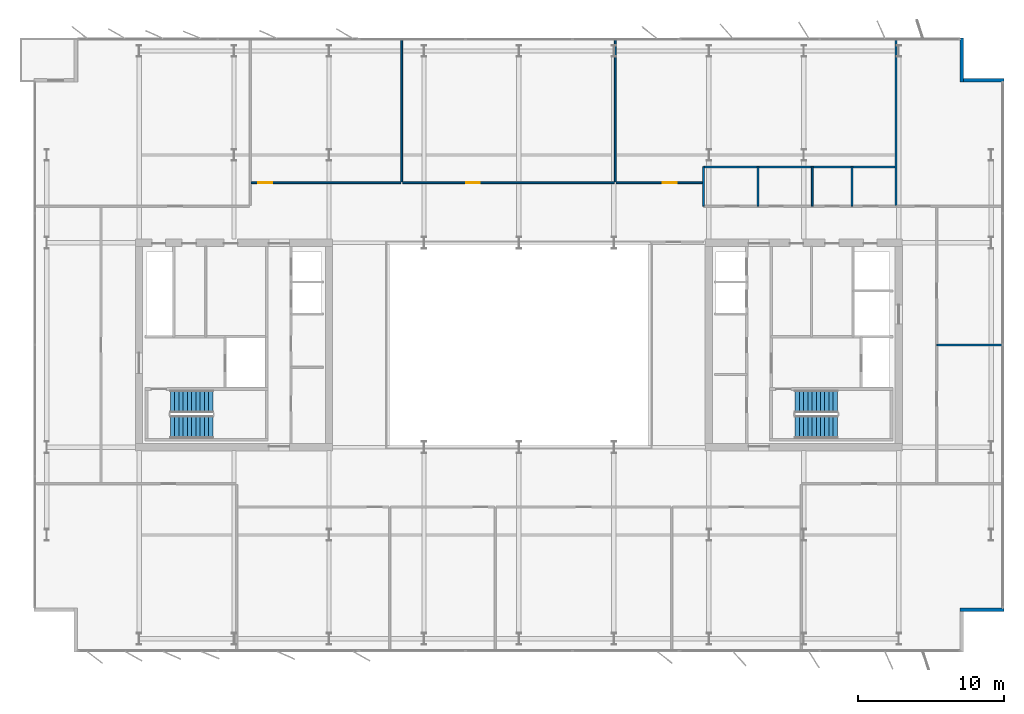
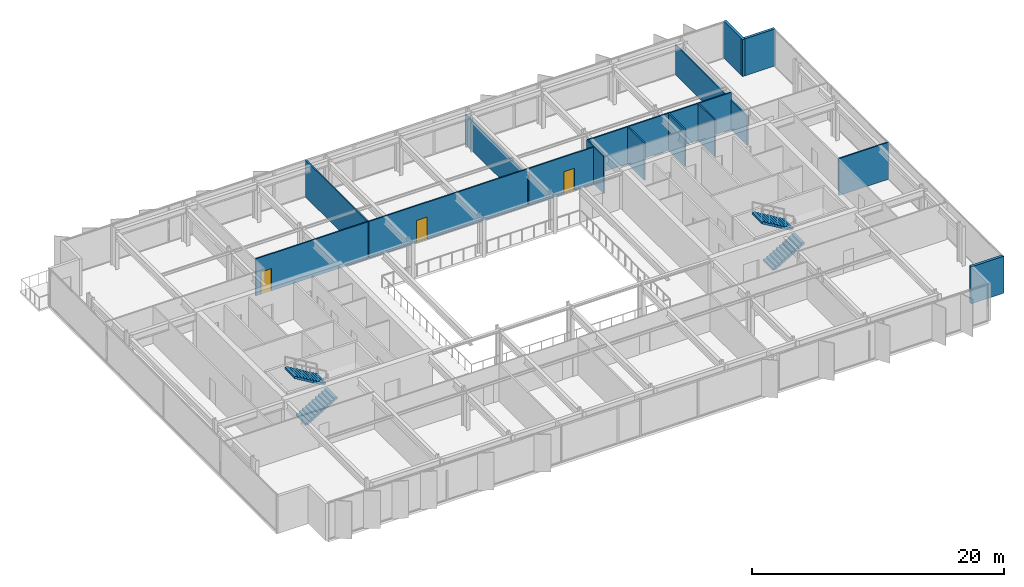
# One storey, part 19 of 23: 15 walls, 4 stair flights, 3 doors, 3 openings, 2 elements without a shape of their own.
"""IFC4 building model written with IfcOpenShell, lengths in metres."""

from ifc_helpers import new_model, si_unit, direction, frame, frame_2d, origin, place, context, subcontext, project, spatial, polyline, rectangle, outline, extrude, material, layer, layer_set, type_object, element, fill, aggregate, save


model = new_model("IFC4")

# Units and contexts
model_context = context("Model", 3, precision=1e-05, world=origin(), true_north=direction((0.0, 1.0)))
body_context = subcontext(model_context, "Body", "Model", "MODEL_VIEW")
ifc_project = project(units=[si_unit("LENGTHUNIT", "METRE"), si_unit("AREAUNIT", "SQUARE_METRE"), si_unit("VOLUMEUNIT", "CUBIC_METRE"), si_unit("PLANEANGLEUNIT", "RADIAN"), si_unit("MASSUNIT", "GRAM", prefix="KILO")], contexts=[model_context])

# Site, building, storey
site_placement = place(None, origin())
site = spatial("IfcSite", under=ifc_project, at=site_placement, CompositionType="ELEMENT")
building_placement = place(site_placement, origin())
building = spatial("IfcBuilding", under=site, at=building_placement, Name="Putna Gate Headquarters", CompositionType="ELEMENT")
storey_placement = place(building_placement, frame((0.0, 0.0, 210.0)))
storey = spatial("IfcBuildingStorey", under=building, at=storey_placement, Name="L52", CompositionType="ELEMENT", Elevation=210.0)

# Walls
ifc_material_1 = material(Name="Precast concrete C40/50", Category="concrete")
ifc_layer_1 = layer(ifc_material_1, 0.239990234375)
ifc_layer_set_1 = layer_set([ifc_layer_1], Name="Precast concrete C40/50")
wall_type_1 = type_object("IfcWallType", Name="WALL-EXT-TERR-240", PredefinedType="STANDARD", material=ifc_layer_set_1)
for number, where, z_axis, x_axis, name in (
    (1, (69.320068359375, 47.0, 0.0), (0.0, 0.0, 1.0), (0.0, -1.0, 0.0), "L52 Corner Notch Return Wall NE-V"),
    (2, (69.199951171875, 44.1201171875, 0.0), (0.0, 0.0, 1.0), (1.0, 0.0, 0.0), "L52 Corner Notch Return Wall NE-H"),
    (3, (72.199951171875, 7.8798828125, 0.0), (0.0, 0.0, 1.0), (-1.0, 0.0, 0.0), "L52 Corner Notch Return Wall SE-H"),
):
    element("IfcWall", number, at=place(storey_placement, frame(where, z_axis=z_axis, x_axis=x_axis)), inside=storey, type_object=wall_type_1, Name=name, PredefinedType="STANDARD", context=body_context, shape_type="SweptSolid", body=[
        extrude(rectangle(XDim=3.0, YDim=0.239990234375, at=frame_2d((1.5, 0.0))), origin(), (0.0, 0.0, 1.0), 3.580078125),
    ])
ifc_material_2 = material(Name="Acoustic gypsum board on metal stud")
ifc_layer_2 = layer(ifc_material_2, 0.1201171875)
ifc_layer_set_2 = layer_set([ifc_layer_2], Name="Acoustic gypsum board on metal stud")
wall_type_2 = type_object("IfcWallType", Name="WALL-PART-120", PredefinedType="PARTITIONING", material=ifc_layer_set_2)
wall_1_placement = place(storey_placement, frame((30.97119140625, 37.159912109375, 0.0), z_axis=(0.0, 0.0, 1.0), x_axis=(0.0, 1.0, 0.0)))
element("IfcWall", 4, at=wall_1_placement, inside=storey, type_object=wall_type_2, Name="L52 Interior Wall PART-L52-NB-DIV-02", PredefinedType="PARTITIONING", context=body_context, shape_type="SweptSolid", body=[
    extrude(rectangle(XDim=9.820068359375, YDim=0.1201171875, at=frame_2d((4.91015625, 0.0))), origin(), (0.0, 0.0, 1.0), 3.580078125),
])
wall_2_placement = place(storey_placement, frame((45.60009765625, 37.159912109375, 0.0), z_axis=(0.0, 0.0, 1.0), x_axis=(0.0, 1.0, 0.0)))
element("IfcWall", 5, at=wall_2_placement, inside=storey, type_object=wall_type_2, Name="L52 Interior Wall PART-L52-NB-DIV-03", PredefinedType="PARTITIONING", context=body_context, shape_type="SweptSolid", body=[
    extrude(rectangle(XDim=9.820068359375, YDim=0.1201171875, at=frame_2d((4.91015625, 0.0))), origin(), (0.0, 0.0, 1.0), 2.8798828125),
])
wall_3_placement = place(storey_placement, frame((64.800048828125, 35.56005859375, 0.0), z_axis=(0.0, 0.0, 1.0), x_axis=(0.0, 1.0, 0.0)))
element("IfcWall", 6, at=wall_3_placement, inside=storey, type_object=wall_type_2, Name="L52 Interior Wall PART-L52-NB-DIV-04", PredefinedType="PARTITIONING", context=body_context, shape_type="SweptSolid", body=[
    extrude(rectangle(XDim=11.419921875, YDim=0.1201171875, at=frame_2d((5.7099609375, 0.0))), origin(), (0.0, 0.0, 1.0), 2.8798828125),
])
wall_4_placement = place(storey_placement, frame((67.60009765625, 26.0, 0.0), z_axis=(0.0, 0.0, 1.0), x_axis=(1.0, 0.0, 0.0)))
element("IfcWall", 7, at=wall_4_placement, inside=storey, type_object=wall_type_2, Name="L52 Interior Wall PART-L52-EW-DIV-1", PredefinedType="PARTITIONING", context=body_context, shape_type="SweptSolid", body=[
    extrude(rectangle(XDim=4.579833984375, YDim=0.1201171875, at=frame_2d((2.2900390625, 0.0))), origin(), (0.0, 0.0, 1.0), 3.580078125),
])
ifc_material_3 = material(Name="Fire-rated gypsum board on metal stud")
ifc_layer_3 = layer(ifc_material_3, 0.1201171875)
ifc_layer_set_3 = layer_set([ifc_layer_3], Name="Fire-rated gypsum board on metal stud")
wall_type_3 = type_object("IfcWallType", Name="WALL-PART-120-RATED", PredefinedType="PARTITIONING", material=ifc_layer_set_3)
wall_5_placement = place(storey_placement, frame((51.639892578125, 38.179931640625, 0.0), z_axis=(0.0, 0.0, 1.0), x_axis=(1.0, 0.0, 0.0)))
element("IfcWall", 8, at=wall_5_placement, inside=storey, type_object=wall_type_3, Name="L52 Interior Wall PART-L52-SAN-BACK", PredefinedType="PARTITIONING", context=body_context, shape_type="SweptSolid", body=[
    extrude(rectangle(XDim=13.16015625, YDim=0.1201171875, at=frame_2d((6.580078125, 0.0))), origin(), (0.0, 0.0, 1.0), 3.580078125),
])
for number, where, z_axis, x_axis, name in (
    (9, (51.639892578125, 35.5, 0.0), (0.0, 0.0, 1.0), (0.0, 1.0, 0.0), "L52 Interior Wall PART-L52-SAN-DIV-1"),
    (10, (55.360107421875, 35.5, 0.0), (0.0, 0.0, 1.0), (0.0, 1.0, 0.0), "L52 Interior Wall PART-L52-SAN-DIV-2"),
    (11, (59.080078125, 35.5, 0.0), (0.0, 0.0, 1.0), (0.0, 1.0, 0.0), "L52 Interior Wall PART-L52-SAN-DIV-3"),
    (12, (61.800048828125, 35.5, 0.0), (0.0, 0.0, 1.0), (0.0, 1.0, 0.0), "L52 Interior Wall PART-L52-SAN-DIV-4"),
):
    element("IfcWall", number, at=place(storey_placement, frame(where, z_axis=z_axis, x_axis=x_axis)), inside=storey, type_object=wall_type_3, Name=name, PredefinedType="PARTITIONING", context=body_context, shape_type="SweptSolid", body=[
        extrude(rectangle(XDim=2.679931640625, YDim=0.1201171875, at=frame_2d((1.33984375, 0.0))), origin(), (0.0, 0.0, 1.0), 3.580078125),
    ])

# Wall, opening, door
wall_6_placement = place(storey_placement, frame((20.6689453125, 37.10009765625, 0.0), z_axis=(0.0, 0.0, 1.0), x_axis=(1.0, 0.0, 0.0)))
wall_6 = element("IfcWall", 13, at=wall_6_placement, inside=storey, type_object=wall_type_3, Name="L52 Interior Wall PART-L52-NB-CW-02", PredefinedType="PARTITIONING", context=body_context, shape_type="SweptSolid", body=[
    extrude(rectangle(XDim=10.2421875, YDim=0.1201171875, at=frame_2d((5.12109375, 0.0))), origin(), (0.0, 0.0, 1.0), 3.580078125),
])
opening_1_placement = place(wall_6_placement, frame((0.47998046875, 0.0, 0.0)))
opening_1 = element("IfcOpeningElement", 14, at=opening_1_placement, cuts=wall_6, Name="Opening FD-95", PredefinedType="OPENING", context=body_context, shape_type="SweptSolid", body=[
    extrude(rectangle(XDim=0.949951171875, YDim=2.14990234375, at=frame_2d((0.47509765625, 1.074951171875))), frame((0.0, 0.070068359375, 0.0), z_axis=(0.0, -1.0, 0.0), x_axis=(1.0, 0.0, 0.0)), (0.0, 0.0, 1.0), 0.14013671875),
])
ifc_material_4 = material(Name="Acoustic timber fire door", Category="wood")
door_type = type_object("IfcDoorType", Name="DOOR-FIRE-950", OperationType="NOTDEFINED", PredefinedType="DOOR", material=ifc_material_4)
door_1_placement = place(opening_1_placement, origin())
door_1 = element("IfcDoor", 15, at=door_1_placement, inside=storey, type_object=door_type, Name="L52 Quiet Wellness Focus Studio 2 Door", OperationType="SINGLE_SWING_LEFT", OverallHeight=2.14990234375, OverallWidth=0.949951171875, PredefinedType="DOOR", context=body_context, shape_type="SweptSolid", body=[
    extrude(rectangle(XDim=0.949951171875, YDim=2.14990234375, at=frame_2d((0.47509765625, 1.074951171875))), frame((0.0, 0.02490234375, 0.0), z_axis=(0.0, -1.0, 0.0), x_axis=(1.0, 0.0, 0.0)), (0.0, 0.0, 1.0), 0.050048828125),
])
fill(opening_1, door_1)

wall_7_placement = place(storey_placement, frame((31.031005859375, 37.10009765625, 0.0), z_axis=(0.0, 0.0, 1.0), x_axis=(1.0, 0.0, 0.0)))
wall_7 = element("IfcWall", 16, at=wall_7_placement, inside=storey, type_object=wall_type_3, Name="L52 Interior Wall PART-L52-NB-CW-03", PredefinedType="PARTITIONING", context=body_context, shape_type="SweptSolid", body=[
    extrude(rectangle(XDim=14.509033203125, YDim=0.1201171875, at=frame_2d((7.25439453125, 0.0))), origin(), (0.0, 0.0, 1.0), 3.580078125),
])
opening_2_placement = place(wall_7_placement, frame((4.352783203125, 0.0, 0.0)))
opening_2 = element("IfcOpeningElement", 17, at=opening_2_placement, cuts=wall_7, Name="Opening FD-95", PredefinedType="OPENING", context=body_context, shape_type="SweptSolid", body=[
    extrude(rectangle(XDim=0.949951171875, YDim=2.14990234375, at=frame_2d((0.47509765625, 1.074951171875))), frame((0.0, 0.070068359375, 0.0), z_axis=(0.0, -1.0, 0.0), x_axis=(1.0, 0.0, 0.0)), (0.0, 0.0, 1.0), 0.14013671875),
])
door_2_placement = place(opening_2_placement, origin())
door_2 = element("IfcDoor", 18, at=door_2_placement, inside=storey, type_object=door_type, Name="L52 Cellular Office 1 Door", OperationType="SINGLE_SWING_RIGHT", OverallHeight=2.14990234375, OverallWidth=0.949951171875, PredefinedType="DOOR", context=body_context, shape_type="SweptSolid", body=[
    extrude(rectangle(XDim=0.949951171875, YDim=2.14990234375, at=frame_2d((0.47509765625, 1.074951171875))), frame((0.0, 0.02490234375, 0.0), z_axis=(0.0, -1.0, 0.0), x_axis=(1.0, 0.0, 0.0)), (0.0, 0.0, 1.0), 0.050048828125),
])
fill(opening_2, door_2)

wall_8_placement = place(storey_placement, frame((45.659912109375, 37.10009765625, 0.0), z_axis=(0.0, 0.0, 1.0), x_axis=(1.0, 0.0, 0.0)))
wall_8 = element("IfcWall", 19, at=wall_8_placement, inside=storey, type_object=wall_type_3, Name="L52 Interior Wall PART-L52-NB-CW-04", PredefinedType="PARTITIONING", context=body_context, shape_type="SweptSolid", body=[
    extrude(rectangle(XDim=5.920166015625, YDim=0.1201171875, at=frame_2d((2.9599609375, 0.0))), origin(), (0.0, 0.0, 1.0), 3.580078125),
])
opening_3_placement = place(wall_8_placement, frame((3.194091796875, 0.0, 0.0)))
opening_3 = element("IfcOpeningElement", 20, at=opening_3_placement, cuts=wall_8, Name="Opening FD-95", PredefinedType="OPENING", context=body_context, shape_type="SweptSolid", body=[
    extrude(rectangle(XDim=0.949951171875, YDim=2.14990234375, at=frame_2d((0.47509765625, 1.074951171875))), frame((0.0, 0.070068359375, 0.0), z_axis=(0.0, -1.0, 0.0), x_axis=(1.0, 0.0, 0.0)), (0.0, 0.0, 1.0), 0.14013671875),
])
door_3_placement = place(opening_3_placement, origin())
door_3 = element("IfcDoor", 21, at=door_3_placement, inside=storey, type_object=door_type, Name="L52 Primary Open Office Workplace Door", OperationType="SINGLE_SWING_LEFT", OverallHeight=2.14990234375, OverallWidth=0.949951171875, PredefinedType="DOOR", context=body_context, shape_type="SweptSolid", body=[
    extrude(rectangle(XDim=0.949951171875, YDim=2.14990234375, at=frame_2d((0.47509765625, 1.074951171875))), frame((0.0, 0.02490234375, 0.0), z_axis=(0.0, -1.0, 0.0), x_axis=(1.0, 0.0, 0.0)), (0.0, 0.0, 1.0), 0.050048828125),
])
fill(opening_3, door_3)

# Stair, stair flights
ifc_material_5 = material(Name="Concrete C40/50", Category="concrete")
stair_type_1 = type_object("IfcStairType", Name="STAIR-ST1", PredefinedType="HALF_TURN_STAIR", material=ifc_material_5)
stair_1_placement = place(storey_placement, origin())
stair_1 = element("IfcStair", 22, at=stair_1_placement, inside=storey, type_object=stair_type_1, Name="L52 West Core Exit Stair ST1", PredefinedType="HALF_TURN_STAIR")
stair_flight_type_1 = type_object("IfcStairFlightType", Name="FLIGHT-ST1", PredefinedType="STRAIGHT", material=ifc_material_5)
stair_flight_1_placement = place(storey_placement, frame((15.14990234375, 20.375, 0.0), z_axis=(0.0, 0.0, 1.0), x_axis=(1.0, 0.0, 0.0)))
stair_flight_1 = element("IfcStairFlight", 23, at=stair_flight_1_placement, type_object=stair_flight_type_1, Name="ST1 flight 1", NumberOfRisers=11, NumberOfTreads=10, PredefinedType="STRAIGHT", RiserHeight=0.172727273, TreadLength=0.29, context=body_context, shape_type="SweptSolid", body=[
    extrude(outline(polyline([(0.0, 0.0), (0.0, 0.172607421875), (0.2900390625, 0.172607421875), (0.2900390625, 0.345458984375), (0.580078125, 0.345458984375), (0.580078125, 0.51806640625), (0.8701171875, 0.51806640625), (0.8701171875, 0.69091796875), (1.159912109375, 0.69091796875), (1.159912109375, 0.863525390625), (1.449951171875, 0.863525390625), (1.449951171875, 1.036376953125), (1.739990234375, 1.036376953125), (1.739990234375, 1.208984375), (2.030029296875, 1.208984375), (2.030029296875, 1.3818359375), (2.320068359375, 1.3818359375), (2.320068359375, 1.554443359375), (2.610107421875, 1.554443359375), (2.610107421875, 1.727294921875), (2.89990234375, 1.727294921875), (2.89990234375, 1.89990234375), (2.89990234375, 1.552734375), (0.29296875, 0.0), (0.0, 0.0)])), frame((0.0, 0.77490234375, 0.0), z_axis=(0.0, -1.0, 0.0), x_axis=(1.0, 0.0, 0.0)), (0.0, 0.0, 1.0), 1.550048828125),
])
stair_flight_2_placement = place(storey_placement, frame((18.050048828125, 22.125, 1.89990234375), z_axis=(0.0, 0.0, 1.0), x_axis=(-1.0, 0.0, 0.0)))
stair_flight_2 = element("IfcStairFlight", 24, at=stair_flight_2_placement, type_object=stair_flight_type_1, Name="ST1 flight 2", NumberOfRisers=11, NumberOfTreads=10, PredefinedType="STRAIGHT", RiserHeight=0.172727273, TreadLength=0.29, context=body_context, shape_type="SweptSolid", body=[
    extrude(outline(polyline([(0.0, 0.0), (0.0, 0.172607421875), (0.2900390625, 0.172607421875), (0.2900390625, 0.345458984375), (0.580078125, 0.345458984375), (0.580078125, 0.51806640625), (0.8701171875, 0.51806640625), (0.8701171875, 0.69091796875), (1.159912109375, 0.69091796875), (1.159912109375, 0.863525390625), (1.449951171875, 0.863525390625), (1.449951171875, 1.036376953125), (1.739990234375, 1.036376953125), (1.739990234375, 1.208984375), (2.030029296875, 1.208984375), (2.030029296875, 1.3818359375), (2.320068359375, 1.3818359375), (2.320068359375, 1.554443359375), (2.610107421875, 1.554443359375), (2.610107421875, 1.727294921875), (2.89990234375, 1.727294921875), (2.89990234375, 1.89990234375), (2.89990234375, 1.552734375), (0.29296875, 0.0), (0.0, 0.0)])), frame((0.0, 0.77490234375, 0.0), z_axis=(0.0, -1.0, 0.0), x_axis=(1.0, 0.0, 0.0)), (0.0, 0.0, 1.0), 1.550048828125),
])
aggregate(stair_1, [stair_flight_1, stair_flight_2])

stair_type_2 = type_object("IfcStairType", Name="STAIR-ST2", PredefinedType="HALF_TURN_STAIR", material=ifc_material_5)
stair_2_placement = place(storey_placement, origin())
stair_2 = element("IfcStair", 25, at=stair_2_placement, inside=storey, type_object=stair_type_2, Name="L52 East Core Exit Stair ST2", PredefinedType="HALF_TURN_STAIR")
stair_flight_type_2 = type_object("IfcStairFlightType", Name="FLIGHT-ST2", PredefinedType="STRAIGHT", material=ifc_material_5)
stair_flight_3_placement = place(storey_placement, frame((57.89990234375, 20.375, 0.0), z_axis=(0.0, 0.0, 1.0), x_axis=(1.0, 0.0, 0.0)))
stair_flight_3 = element("IfcStairFlight", 26, at=stair_flight_3_placement, type_object=stair_flight_type_2, Name="ST2 flight 1", NumberOfRisers=11, NumberOfTreads=10, PredefinedType="STRAIGHT", RiserHeight=0.172727273, TreadLength=0.29, context=body_context, shape_type="SweptSolid", body=[
    extrude(outline(polyline([(0.0, 0.0), (0.0, 0.172607421875), (0.2900390625, 0.172607421875), (0.2900390625, 0.345458984375), (0.580078125, 0.345458984375), (0.580078125, 0.51806640625), (0.8701171875, 0.51806640625), (0.8701171875, 0.69091796875), (1.159912109375, 0.69091796875), (1.159912109375, 0.863525390625), (1.449951171875, 0.863525390625), (1.449951171875, 1.036376953125), (1.739990234375, 1.036376953125), (1.739990234375, 1.208984375), (2.030029296875, 1.208984375), (2.030029296875, 1.3818359375), (2.320068359375, 1.3818359375), (2.320068359375, 1.554443359375), (2.610107421875, 1.554443359375), (2.610107421875, 1.727294921875), (2.89990234375, 1.727294921875), (2.89990234375, 1.89990234375), (2.89990234375, 1.552734375), (0.29296875, 0.0), (0.0, 0.0)])), frame((0.0, 0.77490234375, 0.0), z_axis=(0.0, -1.0, 0.0), x_axis=(1.0, 0.0, 0.0)), (0.0, 0.0, 1.0), 1.550048828125),
])
stair_flight_4_placement = place(storey_placement, frame((60.800048828125, 22.125, 1.89990234375), z_axis=(0.0, 0.0, 1.0), x_axis=(-1.0, 0.0, 0.0)))
stair_flight_4 = element("IfcStairFlight", 27, at=stair_flight_4_placement, type_object=stair_flight_type_2, Name="ST2 flight 2", NumberOfRisers=11, NumberOfTreads=10, PredefinedType="STRAIGHT", RiserHeight=0.172727273, TreadLength=0.29, context=body_context, shape_type="SweptSolid", body=[
    extrude(outline(polyline([(0.0, 0.0), (0.0, 0.172607421875), (0.2900390625, 0.172607421875), (0.2900390625, 0.345458984375), (0.580078125, 0.345458984375), (0.580078125, 0.51806640625), (0.8701171875, 0.51806640625), (0.8701171875, 0.69091796875), (1.159912109375, 0.69091796875), (1.159912109375, 0.863525390625), (1.449951171875, 0.863525390625), (1.449951171875, 1.036376953125), (1.739990234375, 1.036376953125), (1.739990234375, 1.208984375), (2.030029296875, 1.208984375), (2.030029296875, 1.3818359375), (2.320068359375, 1.3818359375), (2.320068359375, 1.554443359375), (2.610107421875, 1.554443359375), (2.610107421875, 1.727294921875), (2.89990234375, 1.727294921875), (2.89990234375, 1.89990234375), (2.89990234375, 1.552734375), (0.29296875, 0.0), (0.0, 0.0)])), frame((0.0, 0.77490234375, 0.0), z_axis=(0.0, -1.0, 0.0), x_axis=(1.0, 0.0, 0.0)), (0.0, 0.0, 1.0), 1.550048828125),
])
aggregate(stair_2, [stair_flight_3, stair_flight_4])

save(model, "model.ifc")
